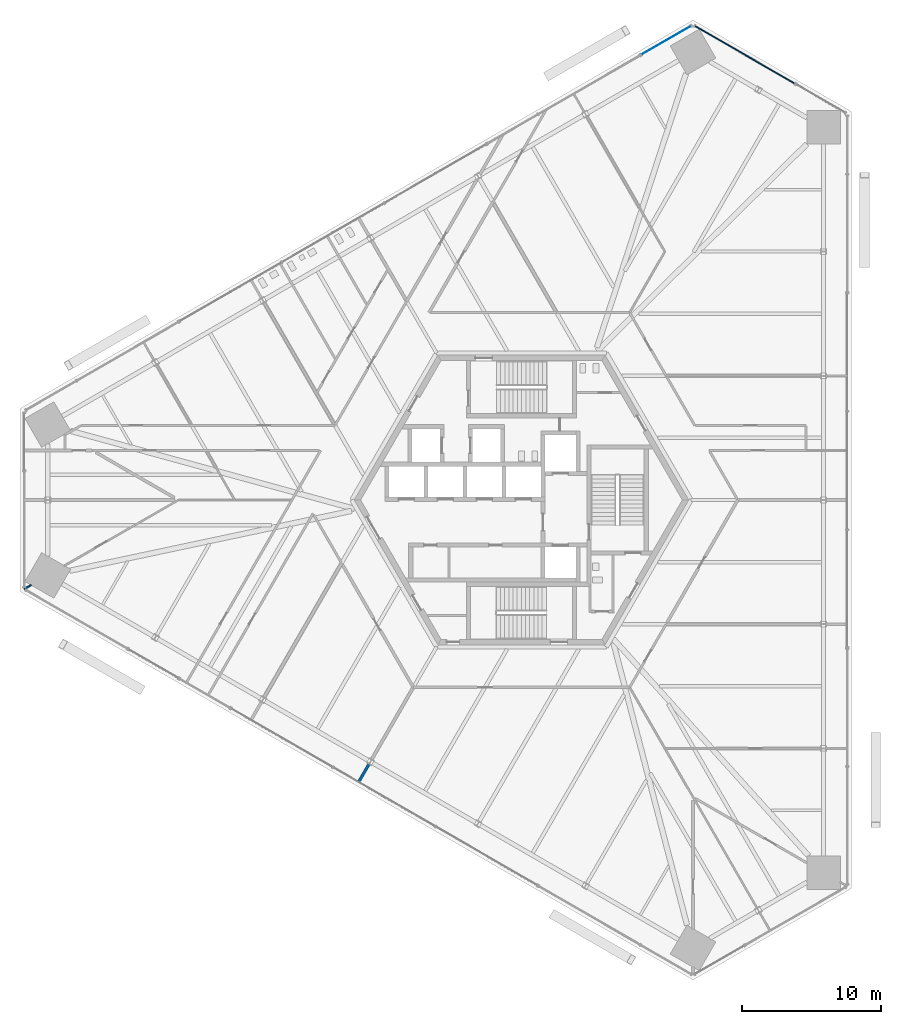
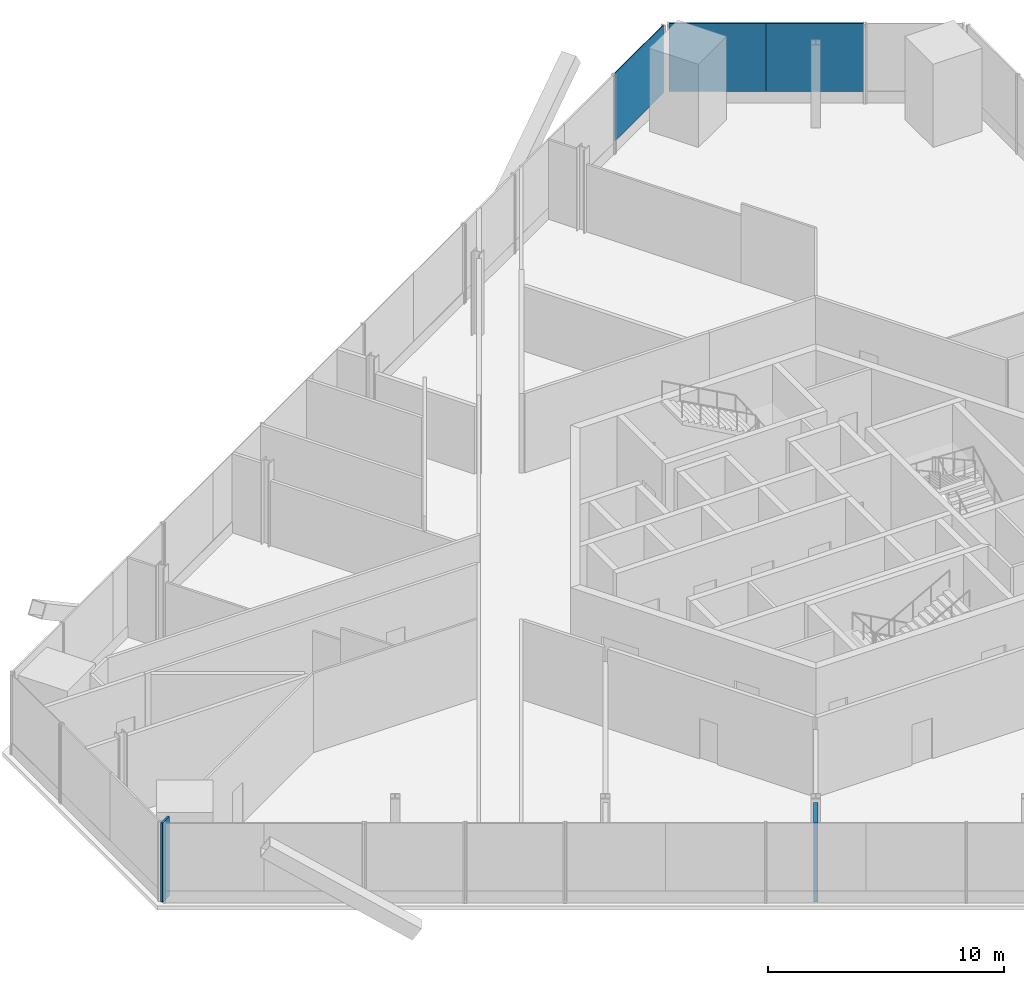
# One storey, part 10 of 17: 3 plates, 2 walls, 2 elements without a shape of their own.
"""IFC4 building model written with IfcOpenShell, lengths in metres."""

from ifc_helpers import new_model, si_unit, direction, frame, frame_2d, origin, origin_2d, place, context, subcontext, project, spatial, rectangle, extrude, source, transform, mapped, material, layer, layer_set, type_object, element, aggregate, save


model = new_model("IFC4")

# Units and contexts
model_context = context("Model", 3, precision=1e-05, world=origin(), true_north=direction((0.0, 1.0)))
body_context = subcontext(model_context, "Body", "Model", "MODEL_VIEW")
ifc_project = project(units=[si_unit("LENGTHUNIT", "METRE"), si_unit("AREAUNIT", "SQUARE_METRE"), si_unit("VOLUMEUNIT", "CUBIC_METRE"), si_unit("PLANEANGLEUNIT", "RADIAN"), si_unit("MASSUNIT", "GRAM", prefix="KILO")], contexts=[model_context])

# Site, building, storey
site_placement = place(None, origin())
site = spatial("IfcSite", under=ifc_project, at=site_placement, CompositionType="ELEMENT")
building_placement = place(site_placement, origin())
building = spatial("IfcBuilding", under=site, at=building_placement, Name="Triune Harvest Tower", CompositionType="ELEMENT")
storey_placement = place(building_placement, frame((0.0, 0.0, 46.10009765625)))
storey = spatial("IfcBuildingStorey", under=building, at=storey_placement, Name="L10", CompositionType="ELEMENT", Elevation=46.10009765625)

# Curtain wall, plate
ifc_material_1 = material(Name="Aluminium bronze anodised", Category="aluminium")
curtain_wall_type_1 = type_object("IfcCurtainWallType", Name="CW-3 Farm floor curtain wall", PredefinedType="NOTDEFINED", material=ifc_material_1)
curtain_wall_1_placement = place(storey_placement, origin())
curtain_wall_1 = element("IfcCurtainWall", 1, at=curtain_wall_1_placement, inside=storey, type_object=curtain_wall_type_1, Name="CW-3 B1-F3 L10 run 1")
ifc_material_2 = material(Name="Glass", Category="glass")
ifc_layer_1 = layer(ifc_material_2, 0.035888671875)
ifc_layer_set_1 = layer_set([ifc_layer_1], Name="Glass")
plate_type_1 = type_object("IfcPlateType", Name="GL-3 panel 36", PredefinedType="CURTAIN_PANEL", material=ifc_layer_set_1)
shared_shape_1 = source(origin(), body_context, "Body", "SweptSolid", [
    extrude(rectangle(XDim=4.0888671875, YDim=0.035888671875, at=origin_2d()), origin(), (0.0, 0.0, 1.0), 3.5),
])
plate_1_placement = place(storey_placement, frame((10.391357421875, 32.986328125, 0.599853515625), z_axis=(0.0, 0.0, 1.0), x_axis=(-0.866024753849, -0.500001125719, 0.0)))
plate_1 = element("IfcPlate", 2, at=plate_1_placement, type_object=plate_type_1, Name="CW-3 panel B1-F3 1.1", PredefinedType="CURTAIN_PANEL", context=body_context, shape_type="MappedRepresentation", body=[
    mapped(shared_shape_1, transform((0.0, 0.0, 0.0), scale=1.0)),
])
aggregate(curtain_wall_1, [plate_1])

# Curtain wall, plates
ifc_material_3 = material(Name="Aluminium bronze anodised", Category="aluminium")
curtain_wall_type_2 = type_object("IfcCurtainWallType", Name="CW-8 Farm floor curtain wall with insulated spandrel infill", PredefinedType="NOTDEFINED", material=ifc_material_3)
curtain_wall_2_placement = place(storey_placement, origin())
curtain_wall_2 = element("IfcCurtainWall", 3, at=curtain_wall_2_placement, inside=storey, type_object=curtain_wall_type_2, Name="CW-8 B1-F2 L10 run 1001")
ifc_material_4 = material(Name="Insulated spandrel panel, bronze aluminium pan", Category="aluminium")
ifc_layer_2 = layer(ifc_material_4, 0.080078125)
ifc_layer_set_2 = layer_set([ifc_layer_2], Name="Insulated spandrel panel, bronze aluminium pan")
plate_type_2 = type_object("IfcPlateType", Name="SP-1 insulated spandrel panel 80", PredefinedType="CURTAIN_PANEL", material=ifc_layer_set_2)
shared_shape_2 = source(origin(), body_context, "Body", "SweptSolid", [
    extrude(rectangle(XDim=4.117919921875, YDim=0.080078125, at=origin_2d()), origin(), (0.0, 0.0, 1.0), 3.5),
])
plate_2_placement = place(storey_placement, frame((17.8056640625, 30.920166015625, 0.599853515625), z_axis=(0.0, 0.0, 1.0), x_axis=(-0.866024848787, 0.500000961283, 0.0)))
plate_2 = element("IfcPlate", 4, at=plate_2_placement, type_object=plate_type_2, Name="CW-8 panel B1-F2 1001.1", PredefinedType="CURTAIN_PANEL", context=body_context, shape_type="MappedRepresentation", body=[
    mapped(shared_shape_2, transform((0.0, 0.0, 0.0), scale=1.0)),
])
plate_3_placement = place(storey_placement, frame((14.239501953125, 32.97900390625, 0.599853515625), z_axis=(0.0, 0.0, 1.0), x_axis=(-0.866024848787, 0.500000961283, 0.0)))
plate_3 = element("IfcPlate", 5, at=plate_3_placement, type_object=plate_type_2, Name="CW-8 panel B1-F2 1001.2", PredefinedType="CURTAIN_PANEL", context=body_context, shape_type="MappedRepresentation", body=[
    mapped(shared_shape_2, transform((0.0, 0.0, 0.0), scale=1.0)),
])
aggregate(curtain_wall_2, [plate_2, plate_3])

# Walls
ifc_material_5 = material(Name="Gypsum board on steel studs", Category="steel")
ifc_layer_3 = layer(ifc_material_5, 0.199951171875)
ifc_layer_set_3 = layer_set([ifc_layer_3], Name="Gypsum board on steel studs")
wall_type_1 = type_object("IfcWallType", Name="Fire Wall 200 mm", PredefinedType="PARTITIONING", material=ifc_layer_set_3)
shared_shape_3 = source(origin(), body_context, "Body", "SweptSolid", [
    extrude(rectangle(XDim=1.49853515625, YDim=0.199951171875, at=frame_2d((0.749267578125, 0.0))), origin(), (0.0, 0.0, 1.0), 4.099853515625),
])
wall_1_placement = place(storey_placement, frame((-11.685791015625, -20.239990234375, 0.0), z_axis=(0.0, 0.0, 1.0), x_axis=(0.500169019818, 0.865927798153, 0.0)))
element("IfcWall", 6, at=wall_1_placement, inside=storey, type_object=wall_type_1, Name="Partition L10 047", PredefinedType="PARTITIONING", context=body_context, shape_type="MappedRepresentation", body=[
    mapped(shared_shape_3, transform((0.0, 0.0, 0.0), scale=1.0)),
])
ifc_material_6 = material(Name="Gypsum board on steel studs", Category="steel")
ifc_layer_4 = layer(ifc_material_6, 0.10009765625)
ifc_layer_set_4 = layer_set([ifc_layer_4], Name="Gypsum board on steel studs")
wall_type_2 = type_object("IfcWallType", Name="Partition 100 mm", PredefinedType="PARTITIONING", material=ifc_layer_set_4)
shared_shape_4 = source(origin(), body_context, "Body", "SweptSolid", [
    extrude(rectangle(XDim=0.579345703125, YDim=0.10009765625, at=frame_2d((0.28955078125, 0.0))), origin(), (0.0, 0.0, 1.0), 4.099853515625),
])
wall_2_placement = place(storey_placement, frame((-35.680419921875, -6.38671875, 0.0), z_axis=(0.0, 0.0, 1.0), x_axis=(0.865925909604, 0.500172289392, 0.0)))
element("IfcWall", 7, at=wall_2_placement, inside=storey, type_object=wall_type_2, Name="Partition L10 042", PredefinedType="PARTITIONING", context=body_context, shape_type="MappedRepresentation", body=[
    mapped(shared_shape_4, transform((0.0, 0.0, 0.0), scale=1.0)),
])

save(model, "model.ifc")
